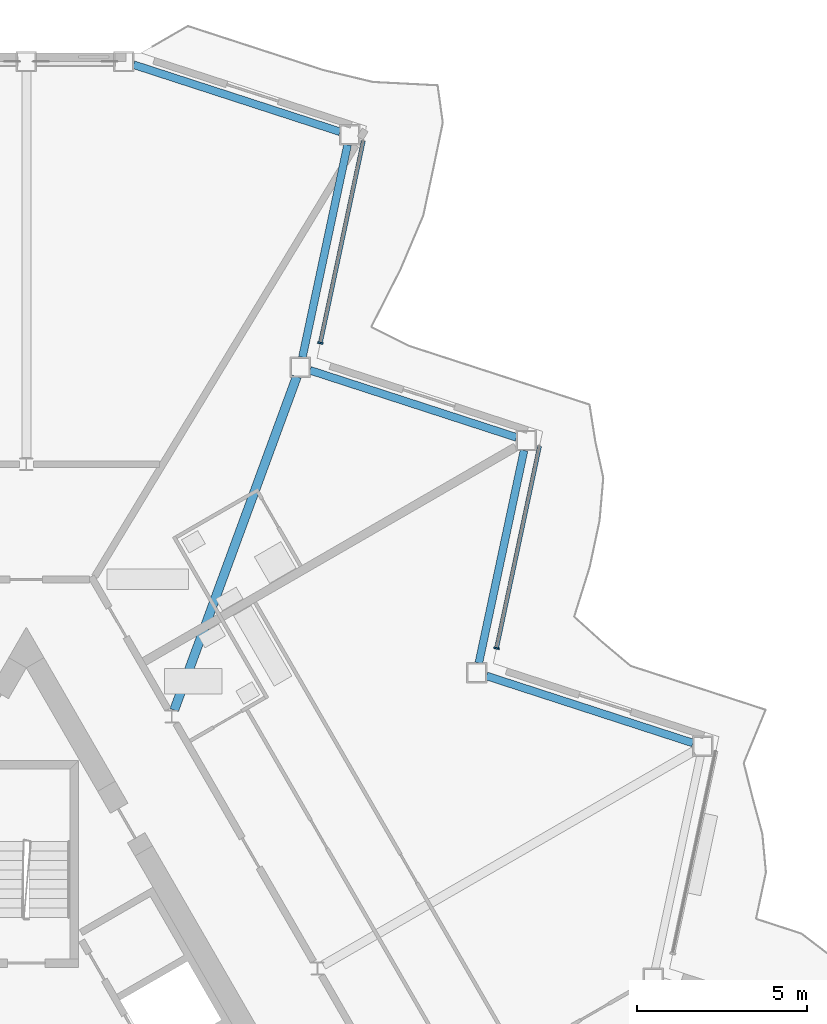
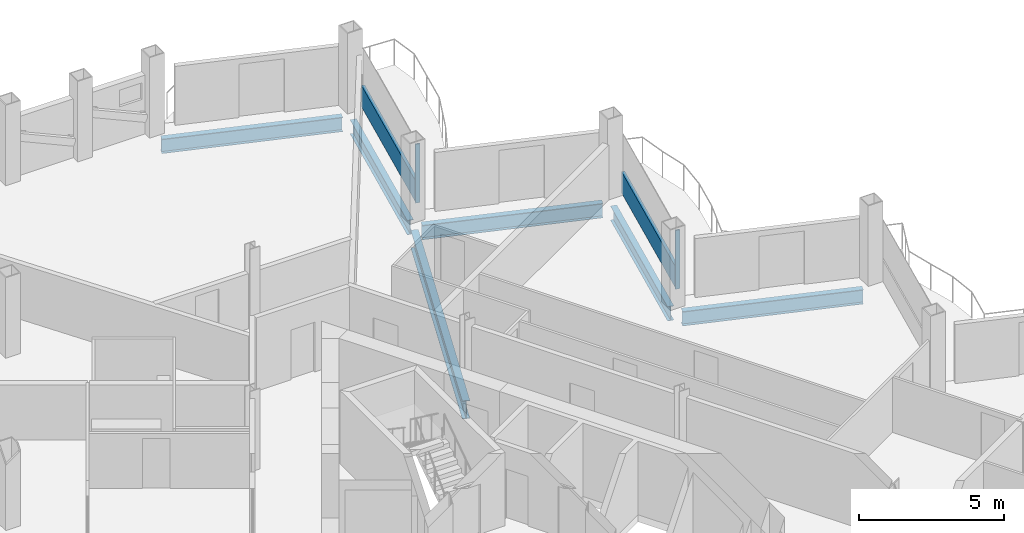
# One storey, part 11 of 27: 6 beams, 4 members, 2 elements without a shape of their own.
"""IFC4 building model written with IfcOpenShell, lengths in metres."""

from ifc_helpers import new_model, si_unit, direction, frame, origin, origin_2d, place, context, subcontext, project, spatial, rectangle, i_section, extrude, material, layer, layer_set, material_profile, profile_set, type_object, element, aggregate, save


model = new_model("IFC4")

# Units and contexts
model_context = context("Model", 3, precision=1e-05, world=origin(), true_north=direction((0.0, 1.0)))
body_context = subcontext(model_context, "Body", "Model", "MODEL_VIEW")
ifc_project = project(units=[si_unit("LENGTHUNIT", "METRE"), si_unit("AREAUNIT", "SQUARE_METRE"), si_unit("VOLUMEUNIT", "CUBIC_METRE"), si_unit("PLANEANGLEUNIT", "RADIAN"), si_unit("MASSUNIT", "GRAM", prefix="KILO")], contexts=[model_context])

# Site, building, storey
site_placement = place(None, origin())
site = spatial("IfcSite", under=ifc_project, at=site_placement, CompositionType="ELEMENT")
building_placement = place(site_placement, origin())
building = spatial("IfcBuilding", under=site, at=building_placement, Name="Cormorant Prow Tower", CompositionType="ELEMENT")
storey_placement = place(building_placement, frame((0.0, 0.0, 312.0)))
storey = spatial("IfcBuildingStorey", under=building, at=storey_placement, Name="L68", CompositionType="ELEMENT", Elevation=312.0)

# Beam
ifc_material_1 = material(Name="Structural steel ASTM A992 Gr 50", Category="steel")
ifc_material_profile_1 = material_profile(ifc_material_1, i_section(OverallWidth=0.267822265625, OverallDepth=0.77001953125, WebThickness=0.015625, FlangeThickness=0.025390625, at=origin_2d()), Name="W30x132")
ifc_profile_set_1 = profile_set([ifc_material_profile_1], Name="Structural steel ASTM A992 Gr 50")
beam_type_1 = type_object("IfcBeamType", Name="Radial floor beam W30x132", PredefinedType="BEAM", material=ifc_profile_set_1)
beam_1_placement = place(storey_placement, frame((4.357421875, 12.5673828125, -0.68505859375), z_axis=(0.345131226703, 0.938554439739, 0.0), x_axis=(-0.938554439739, 0.345131226703, 0.0)))
element("IfcBeam", 1, at=beam_1_placement, inside=storey, type_object=beam_type_1, Name="Radial floor beam FB3 12 L68", PredefinedType="BEAM", context=body_context, shape_type="SweptSolid", body=[
    extrude(i_section(OverallWidth=0.267822265625, OverallDepth=0.77001953125, WebThickness=0.015625, FlangeThickness=0.025390625, at=origin_2d()), origin(), (0.0, 0.0, 1.0), 10.465087890625),
])

# Curtain wall, member
ifc_material_2 = material(Name="Aluminium 6063-T6", Category="aluminium")
ifc_layer = layer(ifc_material_2, 0.159912109375)
ifc_layer_set = layer_set([ifc_layer], Name="Aluminium 6063-T6")
curtain_wall_type = type_object("IfcCurtainWallType", Name="Residential unitised curtain wall 160", PredefinedType="NOTDEFINED", material=ifc_layer_set)
curtain_wall_1_placement = place(storey_placement, origin())
curtain_wall_1 = element("IfcCurtainWall", 2, at=curtain_wall_1_placement, inside=storey, type_object=curtain_wall_type, Name="Residential curtain wall ENE06", PredefinedType="NOTDEFINED")
ifc_material_3 = material(Name="Aluminium 6063-T6", Category="aluminium")
ifc_material_profile_2 = material_profile(ifc_material_3, rectangle(XDim=0.159912109375, YDim=0.050048828125, at=origin_2d()), Name="Residential mullion 50x160")
ifc_profile_set_2 = profile_set([ifc_material_profile_2], Name="Aluminium 6063-T6")
member_type_1 = type_object("IfcMemberType", Name="Residential mullion 50x160", PredefinedType="MULLION", material=ifc_profile_set_2)
member_1_placement = place(storey_placement, frame((13.855224609375, 14.389404296875, 0.0), z_axis=(0.0, 0.0, 1.0), x_axis=(-0.978147586048, 0.207911759908, 0.0)))
member_1 = element("IfcMember", 3, at=member_1_placement, type_object=member_type_1, Name="Residential mullion ENE06", PredefinedType="MULLION", context=body_context, shape_type="SweptSolid", body=[
    extrude(rectangle(XDim=0.159912109375, YDim=0.050048828125, at=origin_2d()), origin(), (0.0, 0.0, 1.0), 2.48779296875),
])

curtain_wall_2_placement = place(storey_placement, origin())
curtain_wall_2 = element("IfcCurtainWall", 4, at=curtain_wall_2_placement, inside=storey, type_object=curtain_wall_type, Name="Residential curtain wall ENE08", PredefinedType="NOTDEFINED")
member_2_placement = place(storey_placement, frame((8.662353515625, 23.383544921875, 0.0), z_axis=(0.0, 0.0, 1.0), x_axis=(-0.978147615151, 0.207911622991, 0.0)))
member_2 = element("IfcMember", 5, at=member_2_placement, type_object=member_type_1, Name="Residential mullion ENE08", PredefinedType="MULLION", context=body_context, shape_type="SweptSolid", body=[
    extrude(rectangle(XDim=0.159912109375, YDim=0.050048828125, at=origin_2d()), origin(), (0.0, 0.0, 1.0), 2.48779296875),
])

# Member
ifc_material_4 = material(Name="Terracotta", Category="masonry")
ifc_material_profile_3 = material_profile(ifc_material_4, rectangle(XDim=0.1201171875, YDim=0.89990234375, at=origin_2d()), Name="Residential terracotta spandrel rail 120x900")
ifc_profile_set_3 = profile_set([ifc_material_profile_3], Name="Terracotta")
member_type_2 = type_object("IfcMemberType", Name="Residential terracotta spandrel rail 120x900", PredefinedType="USERDEFINED", material=ifc_profile_set_3)
member_3_placement = place(storey_placement, frame((13.8603515625, 14.413818359375, 0.449951171875), z_axis=(0.207913597079, 0.978147195544, 0.0), x_axis=(-0.978147195544, 0.207913597079, 0.0)))
member_3 = element("IfcMember", 6, at=member_3_placement, type_object=member_type_2, Name="Residential spandrel rail ENE06", ObjectType="TRANSOM", PredefinedType="USERDEFINED", context=body_context, shape_type="SweptSolid", body=[
    extrude(rectangle(XDim=0.1201171875, YDim=0.89990234375, at=origin_2d()), origin(), (0.0, 0.0, 1.0), 6.069580078125),
])

aggregate(curtain_wall_1, [member_1, member_3])

member_4_placement = place(storey_placement, frame((8.667724609375, 23.407958984375, 0.449951171875), z_axis=(0.207913597079, 0.978147195544, 0.0), x_axis=(-0.978147195544, 0.207913597079, 0.0)))
member_4 = element("IfcMember", 7, at=member_4_placement, type_object=member_type_2, Name="Residential spandrel rail ENE08", ObjectType="TRANSOM", PredefinedType="USERDEFINED", context=body_context, shape_type="SweptSolid", body=[
    extrude(rectangle(XDim=0.1201171875, YDim=0.89990234375, at=origin_2d()), origin(), (0.0, 0.0, 1.0), 6.069580078125),
])

aggregate(curtain_wall_2, [member_2, member_4])

# Beams
ifc_material_5 = material(Name="Structural steel ASTM A992 Gr 50", Category="steel")
ifc_material_profile_4 = material_profile(ifc_material_5, i_section(OverallWidth=0.22900390625, OverallDepth=0.612060546875, WebThickness=0.011962890625, FlangeThickness=0.01953125, at=origin_2d()), Name="W24x84")
ifc_profile_set_4 = profile_set([ifc_material_profile_4], Name="Structural steel ASTM A992 Gr 50")
beam_type_2 = type_object("IfcBeamType", Name="Spandrel beam W24x84", PredefinedType="SPANDREL", material=ifc_profile_set_4)
for number, where, z_axis, x_axis, name in (
    (8, (19.640380859375, 11.5966796875, -0.60595703125), (-0.95105314132, 0.309027381286, 0.0), (-0.309027381286, -0.95105314132, 0.0), "Spandrel beam SB3 ENE05-ENE06 L68"),
    (9, (13.334228515625, 13.95947265625, -0.60595703125), (0.207920386839, 0.978145752297, 0.0), (-0.978145752297, 0.207920386839, 0.0), "Spandrel beam SB3 ENE06-ENE07 L68"),
    (10, (14.441162109375, 20.601806640625, -0.60595703125), (-0.95105314132, 0.309027381286, 0.0), (-0.309027381286, -0.95105314132, 0.0), "Spandrel beam SB3 ENE07-ENE08 L68"),
):
    element("IfcBeam", number, at=place(storey_placement, frame(where, z_axis=z_axis, x_axis=x_axis)), inside=storey, type_object=beam_type_2, Name=name, PredefinedType="SPANDREL", context=body_context, shape_type="SweptSolid", body=[
        extrude(i_section(OverallWidth=0.22900390625, OverallDepth=0.612060546875, WebThickness=0.011962890625, FlangeThickness=0.01953125, at=origin_2d()), origin(), (0.0, 0.0, 1.0), 6.39599609375),
    ])
beam_2_placement = place(storey_placement, frame((8.13525390625, 22.96435546875, -0.60595703125), z_axis=(0.20791262393, 0.978147402394, 0.0), x_axis=(-0.978147402394, 0.20791262393, 0.0)))
element("IfcBeam", 11, at=beam_2_placement, inside=storey, type_object=beam_type_2, Name="Spandrel beam SB3 ENE08-ENE09 L68", PredefinedType="SPANDREL", context=body_context, shape_type="SweptSolid", body=[
    extrude(i_section(OverallWidth=0.22900390625, OverallDepth=0.612060546875, WebThickness=0.011962890625, FlangeThickness=0.01953125, at=origin_2d()), origin(), (0.0, 0.0, 1.0), 6.396240234375),
])
beam_3_placement = place(storey_placement, frame((9.2421875, 29.60693359375, -0.60595703125), z_axis=(-0.951064359156, 0.308992855489, 0.0), x_axis=(-0.308992855489, -0.951064359156, 0.0)))
element("IfcBeam", 12, at=beam_3_placement, inside=storey, type_object=beam_type_2, Name="Spandrel beam SB3 ENE09-N00 L68", PredefinedType="SPANDREL", context=body_context, shape_type="SweptSolid", body=[
    extrude(i_section(OverallWidth=0.22900390625, OverallDepth=0.612060546875, WebThickness=0.011962890625, FlangeThickness=0.01953125, at=origin_2d()), origin(), (0.0, 0.0, 1.0), 6.39599609375),
])

save(model, "model.ifc")
